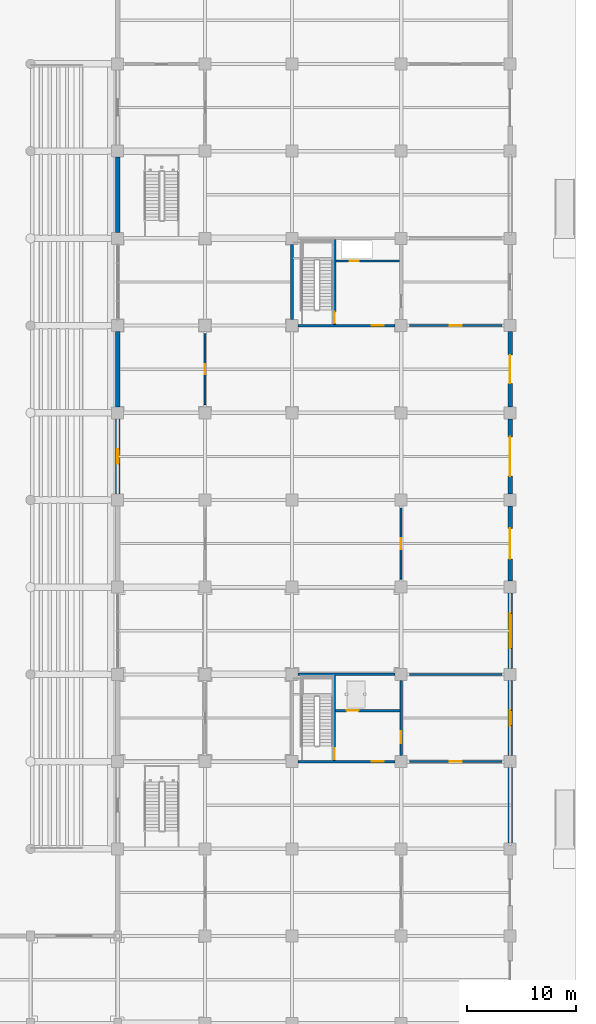
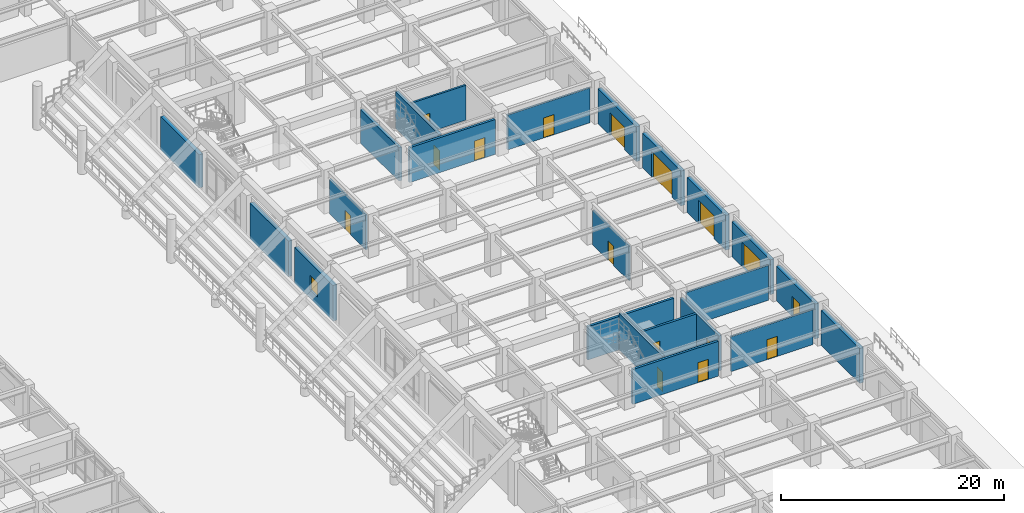
# One storey, part 86 of 125: 23 walls, 16 doors, 1 window, 17 openings.
"""IFC4 building model written with IfcOpenShell, lengths in metres."""

import ifcopenshell
import ifcopenshell.guid

model = None  # the IFC model being written
_history = None  # IfcOwnerHistory: only IFC2X3 demands one
_inside = {}  # id of a spatial element -> (the spatial element, [elements in it])
_under = {}  # id of a project, library or spatial element -> (it, [spatial elements below it])
_declared = {}  # id of a project -> (the project, [libraries it declares])
_typed = {}  # id of a type object -> (the type object, [elements of that type])
_made_of = {}  # id of a material, layer set ... -> (it, [elements and type objects made of it])


def new_model(schema):
    """Start an empty IFC model of exactly this schema.

    Asked for "IFC4X3", IfcOpenShell would pick the latest addendum, in which some entities
    have other attributes; the version numbers below select the first issue.
    IFC2X3 requires an IfcOwnerHistory on every rooted entity: one is made here for all.
    """
    global model, _history
    if schema == "IFC4X3":
        model = ifcopenshell.file(schema_version=(4, 3, 0, 0))
    else:
        model = ifcopenshell.file(schema=schema)
    _inside.clear()
    _under.clear()
    _declared.clear()
    _typed.clear()
    _made_of.clear()
    _history = None
    if model.schema == "IFC2X3":
        org = make("IfcOrganization", Name="unknown")
        user = make(
            "IfcPersonAndOrganization",
            ThePerson=make("IfcPerson", FamilyName="unknown"),
            TheOrganization=org,
        )
        app = make(
            "IfcApplication",
            ApplicationDeveloper=org,
            Version="unknown",
            ApplicationFullName="unknown",
            ApplicationIdentifier="unknown",
        )
        _history = make(
            "IfcOwnerHistory",
            OwningUser=user,
            OwningApplication=app,
            ChangeAction="ADDED",
            CreationDate=0,
        )
    return model


def make(cls, **values):
    """One entity of the class cls with the attributes given. An attribute that is None is left unset."""
    return model.create_entity(
        cls, **{name: value for name, value in values.items() if value is not None}
    )


def rooted(cls, **values):
    """An entity with a GlobalId (a new one), such as an element, a storey or a relation."""
    return make(cls, GlobalId=ifcopenshell.guid.new(), OwnerHistory=_history, **values)


def si_unit(unit_type, name, prefix=None):
    """IfcSIUnit, for example si_unit("LENGTHUNIT", "METRE", prefix="MILLI")."""
    return make("IfcSIUnit", UnitType=unit_type, Prefix=prefix, Name=name)


def assignment(units):
    """IfcUnitAssignment: the units of a project."""
    return None if units is None else make("IfcUnitAssignment", Units=units)


def point(xyz):
    """IfcCartesianPoint."""
    return None if xyz is None else make("IfcCartesianPoint", Coordinates=xyz)


def direction(xyz):
    """IfcDirection."""
    return None if xyz is None else make("IfcDirection", DirectionRatios=xyz)


def frame(location, z_axis=None, x_axis=None):
    """IfcAxis2Placement3D, a coordinate frame: its origin and axes. An axis left out is left unset."""
    return make(
        "IfcAxis2Placement3D",
        Location=point(location),
        Axis=direction(z_axis),
        RefDirection=direction(x_axis),
    )


def frame_2d(location, x_axis=None):
    """IfcAxis2Placement2D, a coordinate frame in the plane: its origin and x axis."""
    return make(
        "IfcAxis2Placement2D", Location=point(location), RefDirection=direction(x_axis)
    )


def origin():
    """The frame at (0, 0, 0) with its axes left unset."""
    return frame((0.0, 0.0, 0.0))


def place(relative_to, where):
    """IfcLocalPlacement: puts the frame where relative to a parent placement (None: the world)."""
    return make(
        "IfcLocalPlacement", PlacementRelTo=relative_to, RelativePlacement=where
    )


def context(
    kind, dimensions, precision=None, world=None, true_north=None, identifier=None
):
    """IfcGeometricRepresentationContext, for example the 3D "Model" context."""
    return make(
        "IfcGeometricRepresentationContext",
        ContextIdentifier=identifier,
        ContextType=kind,
        CoordinateSpaceDimension=dimensions,
        Precision=precision,
        WorldCoordinateSystem=world,
        TrueNorth=true_north,
    )


def subcontext(parent, identifier, kind, view, scale=None):
    """IfcGeometricRepresentationSubContext, for example "Body" below "Model"."""
    return make(
        "IfcGeometricRepresentationSubContext",
        ContextIdentifier=identifier,
        ContextType=kind,
        ParentContext=parent,
        TargetScale=scale,
        TargetView=view,
    )


def project(units=None, contexts=None):
    """IfcProject with its units and contexts."""
    return rooted(
        "IfcProject",
        Name="project",
        RepresentationContexts=contexts,
        UnitsInContext=assignment(units),
    )


def spatial(cls, under=None, at=None, **own):
    """A site, building, storey or space (cls), placed at a placement, below another one or the project."""
    s = rooted(cls, ObjectPlacement=at, **own)
    if under is not None:
        _under.setdefault(under.id(), (under, []))[1].append(s)
    return s


def profile(cls, at=None, kind="AREA", **sizes):
    """A parametric profile (cls). Its sizes go by their IFC names, for example OverallWidth=200.0."""
    return make(cls, ProfileType=kind, Position=at, **sizes)


def rectangle(**sizes):
    """IfcRectangleProfileDef."""
    return profile("IfcRectangleProfileDef", **sizes)


def extrude(swept, where, along, depth):
    """IfcExtrudedAreaSolid: the profile swept, set in the frame where, extruded along a direction by depth."""
    return make(
        "IfcExtrudedAreaSolid",
        SweptArea=swept,
        Position=where,
        ExtrudedDirection=direction(along),
        Depth=depth,
    )


def shape(context_of_items, identifier, shape_type, items):
    """IfcShapeRepresentation: the items that make up one representation, for example the "Body"."""
    return make(
        "IfcShapeRepresentation",
        ContextOfItems=context_of_items,
        RepresentationIdentifier=identifier,
        RepresentationType=shape_type,
        Items=items,
    )


def material(Name=None, Category=None):
    """IfcMaterial."""
    return make("IfcMaterial", Name=Name, Category=Category)


def layer(
    of_material, thickness, ventilated=None, Name=None, Category=None, Priority=None
):
    """IfcMaterialLayer: one layer of a wall or slab, of a material (None: an air gap)."""
    return make(
        "IfcMaterialLayer",
        Material=of_material,
        LayerThickness=thickness,
        IsVentilated=ventilated,
        Name=Name,
        Category=Category,
        Priority=Priority,
    )


def layer_set(layers, Name=None):
    """IfcMaterialLayerSet."""
    return make("IfcMaterialLayerSet", MaterialLayers=layers, LayerSetName=Name)


def made_of(thing, what):
    """Note that an element or type object is made of a material, layer set ...; save() writes the relation."""
    if what is not None:
        _made_of.setdefault(what.id(), (what, []))[1].append(thing)
    return thing


def type_object(cls, material=None, **own):
    """A type object (cls), such as IfcWallType, which elements share."""
    return made_of(rooted(cls, **own), material)


def element(
    cls,
    number,
    at=None,
    inside=None,
    cuts=None,
    type_object=None,
    material=None,
    context=None,
    identifier="Body",
    shape_type=None,
    held_by="IfcProductDefinitionShape",
    body=None,
    shapes=None,
    **own,
):
    """One element of the class cls, such as IfcWall. Its Tag is "e" and its number.

    at: its placement. inside: the storey or other place that contains it. cuts: it is an
    opening in that element (IfcRelVoidsElement). A single representation is given by context,
    identifier, shape_type and body (its items); several are given by shapes. held_by: the class
    of the entity that holds the representations. save() writes the other relations.
    """
    e = rooted(cls, Tag="e%d" % number, ObjectPlacement=at, **own)
    if body is not None:
        shapes = [shape(context, identifier, shape_type, body)]
    if shapes is not None:
        e.Representation = make(held_by, Representations=shapes)
    if inside is not None:
        _inside.setdefault(inside.id(), (inside, []))[1].append(e)
    if cuts is not None:
        rooted(
            "IfcRelVoidsElement", RelatingBuildingElement=cuts, RelatedOpeningElement=e
        )
    if type_object is not None:
        _typed.setdefault(type_object.id(), (type_object, []))[1].append(e)
    return made_of(e, material)


def fill(opening, filler):
    """IfcRelFillsElement: the door or window that sits in an opening."""
    return rooted(
        "IfcRelFillsElement",
        RelatingOpeningElement=opening,
        RelatedBuildingElement=filler,
    )


def aggregate(whole, parts):
    """IfcRelAggregates: a whole, such as a stair, and the parts it consists of."""
    return rooted("IfcRelAggregates", RelatingObject=whole, RelatedObjects=parts)


def save(model, path):
    """Write the relations noted so far, then the file.

    IfcRelAggregates (storeys below a building ...), IfcRelContainedInSpatialStructure (elements
    in a storey), IfcRelDefinesByType, IfcRelAssociatesMaterial and IfcRelDeclares: one each for
    every whole, place, type object, material and project.
    """
    for whole, parts in _under.values():
        aggregate(whole, parts)
    for where, things in _inside.values():
        rooted(
            "IfcRelContainedInSpatialStructure",
            RelatedElements=things,
            RelatingStructure=where,
        )
    for kind, things in _typed.values():
        rooted("IfcRelDefinesByType", RelatedObjects=things, RelatingType=kind)
    for what, things in _made_of.values():
        rooted("IfcRelAssociatesMaterial", RelatedObjects=things, RelatingMaterial=what)
    for by, libraries in _declared.values():
        rooted("IfcRelDeclares", RelatingContext=by, RelatedDefinitions=libraries)
    model.write(path)


model = new_model("IFC4")

# Units and contexts
model_context = context("Model", 3, precision=1e-05, world=origin(), true_north=direction((0.0, 1.0)))
body_context = subcontext(model_context, "Body", "Model", "MODEL_VIEW")
ifc_project = project(units=[si_unit("LENGTHUNIT", "METRE"), si_unit("AREAUNIT", "SQUARE_METRE"), si_unit("VOLUMEUNIT", "CUBIC_METRE"), si_unit("PLANEANGLEUNIT", "RADIAN"), si_unit("MASSUNIT", "GRAM", prefix="KILO")], contexts=[model_context])

# Site, building, storey
site_placement = place(None, origin())
site = spatial("IfcSite", under=ifc_project, at=site_placement, CompositionType="ELEMENT")
building_placement = place(site_placement, origin())
building = spatial("IfcBuilding", under=site, at=building_placement, Name="Haebicheon Civic Stadium", CompositionType="ELEMENT")
storey_placement = place(building_placement, origin())
storey = spatial("IfcBuildingStorey", under=building, at=storey_placement, Name="L01", CompositionType="ELEMENT", Elevation=0.0)

# Wall, opening, door
ifc_material_1 = material(Name="Concrete C40/50", Category="concrete")
ifc_layer_1 = layer(ifc_material_1, 0.239990234375, Name="Concrete C40/50")
ifc_layer_set_1 = layer_set([ifc_layer_1], Name="Concrete C40/50")
wall_type_1 = type_object("IfcWallType", Name="CW-SHR-240", PredefinedType="SHEAR", material=ifc_layer_set_1)
wall_1_placement = place(storey_placement, frame((216.550048828125, 64.0, 0.0), z_axis=(0.0, 0.0, 1.0), x_axis=(1.0, 0.0, 0.0)))
wall_1 = element("IfcWall", 1, at=wall_1_placement, inside=storey, type_object=wall_type_1, material=ifc_layer_set_1, Name="KC-12 L01 south core shear wall", PredefinedType="SHEAR", context=body_context, shape_type="SweptSolid", body=[
    extrude(rectangle(XDim=8.89990234375, YDim=0.239990234375, at=frame_2d((4.449951171875, 0.0))), origin(), (0.0, 0.0, 1.0), 3.81005859375),
])
opening_1_placement = place(wall_1_placement, frame((6.75, 0.0, 0.0)))
opening_1 = element("IfcOpeningElement", 2, at=opening_1_placement, cuts=wall_1, Name="Opening D-L01-KC-12-LOB", PredefinedType="OPENING", context=body_context, shape_type="SweptSolid", body=[
    extrude(rectangle(XDim=1.10009765625, YDim=2.199951171875, at=frame_2d((0.550048828125, 1.10009765625))), frame((0.0, 0.1298828125, 0.0), z_axis=(0.0, -1.0, 0.0), x_axis=(1.0, 0.0, 0.0)), (0.0, 0.0, 1.0), 0.260009765625),
])
ifc_material_2 = material(Name="Galvanised painted steel SM355", Category="steel")
door_type_1 = type_object("IfcDoorType", Name="ID-FD-1100", OperationType="NOTDEFINED", PredefinedType="DOOR", material=ifc_material_2)
door_1_placement = place(opening_1_placement, origin())
door_1 = element("IfcDoor", 3, at=door_1_placement, inside=storey, type_object=door_type_1, material=ifc_material_2, Name="L01 KC-12 lobby fire door", OperationType="SINGLE_SWING_RIGHT", OverallHeight=2.199951171875, OverallWidth=1.10009765625, PredefinedType="DOOR", context=body_context, shape_type="SweptSolid", body=[
    extrude(rectangle(XDim=1.10009765625, YDim=2.199951171875, at=frame_2d((0.550048828125, 1.10009765625))), frame((0.0, 0.02490234375, 0.0), z_axis=(0.0, -1.0, 0.0), x_axis=(1.0, 0.0, 0.0)), (0.0, 0.0, 1.0), 0.050048828125),
])
fill(opening_1, door_1)

# Wall
wall_2_placement = place(storey_placement, frame((216.550048828125, 72.0, 0.0), z_axis=(0.0, 0.0, 1.0), x_axis=(1.0, 0.0, 0.0)))
element("IfcWall", 4, at=wall_2_placement, inside=storey, type_object=wall_type_1, material=ifc_layer_set_1, Name="KC-12 L01 north core shear wall", PredefinedType="SHEAR", context=body_context, shape_type="SweptSolid", body=[
    extrude(rectangle(XDim=8.89990234375, YDim=0.239990234375, at=frame_2d((4.449951171875, 0.0))), origin(), (0.0, 0.0, 1.0), 3.659912109375),
])

# Wall, opening, door
wall_3_placement = place(storey_placement, frame((226.0, 64.550048828125, 0.0), z_axis=(0.0, 0.0, 1.0), x_axis=(0.0, 1.0, 0.0)))
wall_3 = element("IfcWall", 5, at=wall_3_placement, inside=storey, type_object=wall_type_1, material=ifc_layer_set_1, Name="KC-12 L01 east core shear wall", PredefinedType="SHEAR", context=body_context, shape_type="SweptSolid", body=[
    extrude(rectangle(XDim=6.89990234375, YDim=0.239990234375, at=frame_2d((3.449951171875, 0.0))), origin(), (0.0, 0.0, 1.0), 3.81005859375),
])
opening_2_placement = place(wall_3_placement, frame((1.14990234375, 0.0, 0.0)))
opening_2 = element("IfcOpeningElement", 6, at=opening_2_placement, cuts=wall_3, Name="Opening D-L01-KC-12-PXP", PredefinedType="OPENING", context=body_context, shape_type="SweptSolid", body=[
    extrude(rectangle(XDim=1.10009765625, YDim=2.199951171875, at=frame_2d((0.550048828125, 1.10009765625))), frame((0.0, 0.1298828125, 0.0), z_axis=(0.0, -1.0, 0.0), x_axis=(1.0, 0.0, 0.0)), (0.0, 0.0, 1.0), 0.260009765625),
])
door_2_placement = place(opening_2_placement, origin())
door_2 = element("IfcDoor", 7, at=door_2_placement, inside=storey, type_object=door_type_1, material=ifc_material_2, Name="L01 KC-12 protected exit passage fire door", OperationType="SINGLE_SWING_LEFT", OverallHeight=2.199951171875, OverallWidth=1.10009765625, PredefinedType="DOOR", context=body_context, shape_type="SweptSolid", body=[
    extrude(rectangle(XDim=1.10009765625, YDim=2.199951171875, at=frame_2d((0.550048828125, 1.10009765625))), frame((0.0, 0.02490234375, 0.0), z_axis=(0.0, -1.0, 0.0), x_axis=(1.0, 0.0, 0.0)), (0.0, 0.0, 1.0), 0.050048828125),
])
fill(opening_2, door_2)

wall_4_placement = place(storey_placement, frame((219.8798828125, 64.1201171875, 0.0), z_axis=(0.0, 0.0, 1.0), x_axis=(0.0, 1.0, 0.0)))
wall_4 = element("IfcWall", 8, at=wall_4_placement, inside=storey, type_object=wall_type_1, material=ifc_layer_set_1, Name="KC-12 L01 stair-lobby dividing shear wall", PredefinedType="SHEAR", context=body_context, shape_type="SweptSolid", body=[
    extrude(rectangle(XDim=7.759765625, YDim=0.239990234375, at=frame_2d((3.8798828125, 0.0))), origin(), (0.0, 0.0, 1.0), 4.010009765625),
])
opening_3_placement = place(wall_4_placement, frame((0.080078125, 0.0, 0.0)))
opening_3 = element("IfcOpeningElement", 9, at=opening_3_placement, cuts=wall_4, Name="Opening D-L01-KC-12-STR", PredefinedType="OPENING", context=body_context, shape_type="SweptSolid", body=[
    extrude(rectangle(XDim=1.050048828125, YDim=2.14990234375, at=frame_2d((0.52490234375, 1.074951171875))), frame((0.0, 0.1298828125, 0.0), z_axis=(0.0, -1.0, 0.0), x_axis=(1.0, 0.0, 0.0)), (0.0, 0.0, 1.0), 0.260009765625),
])
ifc_material_3 = material(Name="Galvanised painted steel SM355", Category="steel")
door_type_2 = type_object("IfcDoorType", Name="ID-FD-1050", OperationType="NOTDEFINED", PredefinedType="DOOR", material=ifc_material_3)
door_3_placement = place(opening_3_placement, origin())
door_3 = element("IfcDoor", 10, at=door_3_placement, inside=storey, type_object=door_type_2, material=ifc_material_3, Name="L01 ST-12 stairwell escape door", OperationType="SINGLE_SWING_RIGHT", OverallHeight=2.14990234375, OverallWidth=1.050048828125, PredefinedType="DOOR", context=body_context, shape_type="SweptSolid", body=[
    extrude(rectangle(XDim=1.050048828125, YDim=2.14990234375, at=frame_2d((0.52490234375, 1.074951171875))), frame((0.0, 0.02490234375, 0.0), z_axis=(0.0, -1.0, 0.0), x_axis=(1.0, 0.0, 0.0)), (0.0, 0.0, 1.0), 0.050048828125),
])
fill(opening_3, door_3)

wall_5_placement = place(storey_placement, frame((220.0, 68.679931640625, 0.0), z_axis=(0.0, 0.0, 1.0), x_axis=(1.0, 0.0, 0.0)))
wall_5 = element("IfcWall", 11, at=wall_5_placement, inside=storey, type_object=wall_type_1, material=ifc_layer_set_1, Name="KC-12 L01 lift shaft front wall", PredefinedType="SHEAR", context=body_context, shape_type="SweptSolid", body=[
    extrude(rectangle(XDim=5.8798828125, YDim=0.239990234375, at=frame_2d((2.93994140625, 0.0))), origin(), (0.0, 0.0, 1.0), 3.81005859375),
])
opening_4_placement = place(wall_5_placement, frame((1.0, 0.0, 0.0)))
opening_4 = element("IfcOpeningElement", 12, at=opening_4_placement, cuts=wall_5, Name="Opening LD-09-L01", PredefinedType="OPENING", context=body_context, shape_type="SweptSolid", body=[
    extrude(rectangle(XDim=1.10009765625, YDim=2.14990234375, at=frame_2d((0.550048828125, 1.074951171875))), frame((0.0, 0.1298828125, 0.0), z_axis=(0.0, -1.0, 0.0), x_axis=(1.0, 0.0, 0.0)), (0.0, 0.0, 1.0), 0.260009765625),
])
ifc_material_4 = material(Name="Stainless steel 316", Category="steel")
door_type_3 = type_object("IfcDoorType", Name="ID-LD-1100", OperationType="NOTDEFINED", PredefinedType="DOOR", material=ifc_material_4)
door_4_placement = place(opening_4_placement, origin())
door_4 = element("IfcDoor", 13, at=door_4_placement, inside=storey, type_object=door_type_3, material=ifc_material_4, Name="LF-09 lift landing sliding door L01", OperationType="SLIDING_TO_LEFT", OverallHeight=2.14990234375, OverallWidth=1.10009765625, PredefinedType="DOOR", context=body_context, shape_type="SweptSolid", body=[
    extrude(rectangle(XDim=1.10009765625, YDim=2.14990234375, at=frame_2d((0.550048828125, 1.074951171875))), frame((0.0, 0.02490234375, 0.0), z_axis=(0.0, -1.0, 0.0), x_axis=(1.0, 0.0, 0.0)), (0.0, 0.0, 1.0), 0.050048828125),
])
fill(opening_4, door_4)

wall_6_placement = place(storey_placement, frame((216.550048828125, 104.0, 0.0), z_axis=(0.0, 0.0, 1.0), x_axis=(1.0, 0.0, 0.0)))
wall_6 = element("IfcWall", 14, at=wall_6_placement, inside=storey, type_object=wall_type_1, material=ifc_layer_set_1, Name="KC-13 L01 south core shear wall", PredefinedType="SHEAR", context=body_context, shape_type="SweptSolid", body=[
    extrude(rectangle(XDim=8.89990234375, YDim=0.239990234375, at=frame_2d((4.449951171875, 0.0))), origin(), (0.0, 0.0, 1.0), 3.81005859375),
])
opening_5_placement = place(wall_6_placement, frame((6.75, 0.0, 0.0)))
opening_5 = element("IfcOpeningElement", 15, at=opening_5_placement, cuts=wall_6, Name="Opening D-L01-KC-13-LOB", PredefinedType="OPENING", context=body_context, shape_type="SweptSolid", body=[
    extrude(rectangle(XDim=1.10009765625, YDim=2.199951171875, at=frame_2d((0.550048828125, 1.10009765625))), frame((0.0, 0.1298828125, 0.0), z_axis=(0.0, -1.0, 0.0), x_axis=(1.0, 0.0, 0.0)), (0.0, 0.0, 1.0), 0.260009765625),
])
door_5_placement = place(opening_5_placement, origin())
door_5 = element("IfcDoor", 16, at=door_5_placement, inside=storey, type_object=door_type_1, material=ifc_material_2, Name="L01 KC-13 lobby fire door", OperationType="SINGLE_SWING_RIGHT", OverallHeight=2.199951171875, OverallWidth=1.10009765625, PredefinedType="DOOR", context=body_context, shape_type="SweptSolid", body=[
    extrude(rectangle(XDim=1.10009765625, YDim=2.199951171875, at=frame_2d((0.550048828125, 1.10009765625))), frame((0.0, 0.02490234375, 0.0), z_axis=(0.0, -1.0, 0.0), x_axis=(1.0, 0.0, 0.0)), (0.0, 0.0, 1.0), 0.050048828125),
])
fill(opening_5, door_5)

# Wall
ifc_material_5 = material(Name="Concrete C40/50", Category="concrete")
ifc_layer_2 = layer(ifc_material_5, 0.300048828125, Name="Concrete C40/50")
ifc_layer_set_2 = layer_set([ifc_layer_2], Name="Concrete C40/50")
wall_type_2 = type_object("IfcWallType", Name="CW-SHR-300", PredefinedType="SHEAR", material=ifc_layer_set_2)
wall_7_placement = place(storey_placement, frame((216.0, 104.550048828125, 0.0), z_axis=(0.0, 0.0, 1.0), x_axis=(0.0, 1.0, 0.0)))
element("IfcWall", 17, at=wall_7_placement, inside=storey, type_object=wall_type_2, material=ifc_layer_set_2, Name="KC-13 L01 west core shear wall", PredefinedType="SHEAR", context=body_context, shape_type="SweptSolid", body=[
    extrude(rectangle(XDim=6.89990234375, YDim=0.300048828125, at=frame_2d((3.449951171875, 0.0))), origin(), (0.0, 0.0, 1.0), 3.659912109375),
])

# Wall, opening, door
wall_8_placement = place(storey_placement, frame((219.8798828125, 104.1201171875, 0.0), z_axis=(0.0, 0.0, 1.0), x_axis=(0.0, 1.0, 0.0)))
wall_8 = element("IfcWall", 18, at=wall_8_placement, inside=storey, type_object=wall_type_2, material=ifc_layer_set_2, Name="KC-13 L01 stair-lobby dividing shear wall", PredefinedType="SHEAR", context=body_context, shape_type="SweptSolid", body=[
    extrude(rectangle(XDim=7.759765625, YDim=0.300048828125, at=frame_2d((3.8798828125, 0.0))), origin(), (0.0, 0.0, 1.0), 4.010009765625),
])
opening_6_placement = place(wall_8_placement, frame((0.080078125, 0.0, 0.0)))
opening_6 = element("IfcOpeningElement", 19, at=opening_6_placement, cuts=wall_8, Name="Opening D-L01-KC-13-STR", PredefinedType="OPENING", context=body_context, shape_type="SweptSolid", body=[
    extrude(rectangle(XDim=1.050048828125, YDim=2.14990234375, at=frame_2d((0.52490234375, 1.074951171875))), frame((0.0, 0.159912109375, 0.0), z_axis=(0.0, -1.0, 0.0), x_axis=(1.0, 0.0, 0.0)), (0.0, 0.0, 1.0), 0.320068359375),
])
door_6_placement = place(opening_6_placement, origin())
door_6 = element("IfcDoor", 20, at=door_6_placement, inside=storey, type_object=door_type_2, material=ifc_material_3, Name="L01 ST-13 stairwell escape door", OperationType="SINGLE_SWING_RIGHT", OverallHeight=2.14990234375, OverallWidth=1.050048828125, PredefinedType="DOOR", context=body_context, shape_type="SweptSolid", body=[
    extrude(rectangle(XDim=1.050048828125, YDim=2.14990234375, at=frame_2d((0.52490234375, 1.074951171875))), frame((0.0, 0.02490234375, 0.0), z_axis=(0.0, -1.0, 0.0), x_axis=(1.0, 0.0, 0.0)), (0.0, 0.0, 1.0), 0.050048828125),
])
fill(opening_6, door_6)

# Wall, opening, window
ifc_material_6 = material(Name="Concrete C40/50", Category="concrete")
ifc_layer_3 = layer(ifc_material_6, 0.39990234375, Name="Concrete C40/50")
ifc_layer_set_3 = layer_set([ifc_layer_3], Name="Concrete C40/50")
wall_type_3 = type_object("IfcWallType", Name="EW-BM-400", PredefinedType="SOLIDWALL", material=ifc_layer_set_3)
wall_9_placement = place(storey_placement, frame((200.0, 88.550048828125, 0.0), z_axis=(0.0, 0.0, 1.0), x_axis=(0.0, 1.0, 0.0)))
wall_9 = element("IfcWall", 21, at=wall_9_placement, inside=storey, type_object=wall_type_3, material=ifc_layer_set_3, Name="L01 board-marked concrete facade wall 25-11-W", PredefinedType="SOLIDWALL", context=body_context, shape_type="SweptSolid", body=[
    extrude(rectangle(XDim=6.89990234375, YDim=0.39990234375, at=frame_2d((3.449951171875, 0.0))), origin(), (0.0, 0.0, 1.0), 3.909912109375),
])
opening_7_placement = place(wall_9_placement, frame((2.77490234375, 0.0, 0.949951171875)))
opening_7 = element("IfcOpeningElement", 22, at=opening_7_placement, cuts=wall_9, Name="Opening WIN-135x160", PredefinedType="OPENING", context=body_context, shape_type="SweptSolid", body=[
    extrude(rectangle(XDim=1.35009765625, YDim=1.60009765625, at=frame_2d((0.675048828125, 0.800048828125))), frame((0.0, 0.2099609375, 0.0), z_axis=(0.0, -1.0, 0.0), x_axis=(1.0, 0.0, 0.0)), (0.0, 0.0, 1.0), 0.419921875),
])
ifc_material_7 = material(Name="Anodised aluminium and laminated glass", Category="aluminium")
window_type = type_object("IfcWindowType", Name="WIN-135x160", PartitioningType="SINGLE_PANEL", PredefinedType="WINDOW", material=ifc_material_7)
window_placement = place(opening_7_placement, origin())
window = element("IfcWindow", 23, at=window_placement, inside=storey, type_object=window_type, material=ifc_material_7, Name="L01 facade window 026", OverallHeight=1.60009765625, OverallWidth=1.35009765625, PartitioningType="SINGLE_PANEL", PredefinedType="WINDOW", context=body_context, shape_type="SweptSolid", body=[
    extrude(rectangle(XDim=1.35009765625, YDim=1.60009765625, at=frame_2d((0.675048828125, 0.800048828125))), frame((0.0, 0.030029296875, 0.0), z_axis=(0.0, -1.0, 0.0), x_axis=(1.0, 0.0, 0.0)), (0.0, 0.0, 1.0), 0.06005859375),
])
fill(opening_7, window)

# Walls
wall_10_placement = place(storey_placement, frame((200.0, 96.550048828125, 0.0), z_axis=(0.0, 0.0, 1.0), x_axis=(0.0, 1.0, 0.0)))
element("IfcWall", 24, at=wall_10_placement, inside=storey, type_object=wall_type_3, material=ifc_layer_set_3, Name="L01 board-marked concrete facade wall 25-12-W", PredefinedType="SOLIDWALL", context=body_context, shape_type="SweptSolid", body=[
    extrude(rectangle(XDim=6.89990234375, YDim=0.39990234375, at=frame_2d((3.449951171875, 0.0))), origin(), (0.0, 0.0, 1.0), 3.909912109375),
])
wall_11_placement = place(storey_placement, frame((200.0, 112.550048828125, 0.0), z_axis=(0.0, 0.0, 1.0), x_axis=(0.0, 1.0, 0.0)))
element("IfcWall", 25, at=wall_11_placement, inside=storey, type_object=wall_type_3, material=ifc_layer_set_3, Name="L01 board-marked concrete facade wall 25-14-W", PredefinedType="SOLIDWALL", context=body_context, shape_type="SweptSolid", body=[
    extrude(rectangle(XDim=6.89990234375, YDim=0.39990234375, at=frame_2d((3.449951171875, 0.0))), origin(), (0.0, 0.0, 1.0), 3.659912109375),
])
wall_12_placement = place(storey_placement, frame((236.0, 56.550048828125, 0.0), z_axis=(0.0, 0.0, 1.0), x_axis=(0.0, 1.0, 0.0)))
element("IfcWall", 26, at=wall_12_placement, inside=storey, type_object=wall_type_3, material=ifc_layer_set_3, Name="L01 board-marked concrete facade wall 29-07-E", PredefinedType="SOLIDWALL", context=body_context, shape_type="SweptSolid", body=[
    extrude(rectangle(XDim=6.89990234375, YDim=0.39990234375, at=frame_2d((3.449951171875, 0.0))), origin(), (0.0, 0.0, 1.0), 3.81005859375),
])

# Wall, opening, door
wall_13_placement = place(storey_placement, frame((236.0, 71.449951171875, 0.0), z_axis=(0.0, 0.0, 1.0), x_axis=(0.0, -1.0, 0.0)))
wall_13 = element("IfcWall", 27, at=wall_13_placement, inside=storey, type_object=wall_type_3, material=ifc_layer_set_3, Name="L01 board-marked concrete facade wall 29-08-E", PredefinedType="SOLIDWALL", context=body_context, shape_type="SweptSolid", body=[
    extrude(rectangle(XDim=6.89990234375, YDim=0.39990234375, at=frame_2d((3.449951171875, 0.0))), origin(), (0.0, 0.0, 1.0), 3.81005859375),
])
opening_8_placement = place(wall_13_placement, frame((2.75, 0.0, 0.0)))
opening_8 = element("IfcOpeningElement", 28, at=opening_8_placement, cuts=wall_13, Name="Opening DX07", PredefinedType="OPENING", context=body_context, shape_type="SweptSolid", body=[
    extrude(rectangle(XDim=1.39990234375, YDim=2.199951171875, at=frame_2d((0.699951171875, 1.10009765625))), frame((0.0, 0.2099609375, 0.0), z_axis=(0.0, -1.0, 0.0), x_axis=(1.0, 0.0, 0.0)), (0.0, 0.0, 1.0), 0.419921875),
])
ifc_material_8 = material(Name="Galvanised painted steel SM355", Category="steel")
door_type_4 = type_object("IfcDoorType", Name="ED-EXIT-1400", OperationType="NOTDEFINED", PredefinedType="DOOR", material=ifc_material_8)
door_7_placement = place(opening_8_placement, origin())
door_7 = element("IfcDoor", 29, at=door_7_placement, inside=storey, type_object=door_type_4, material=ifc_material_8, Name="Protected exit passage final exit door DX07", OperationType="SINGLE_SWING_LEFT", OverallHeight=2.199951171875, OverallWidth=1.39990234375, PredefinedType="DOOR", context=body_context, shape_type="SweptSolid", body=[
    extrude(rectangle(XDim=1.39990234375, YDim=2.199951171875, at=frame_2d((0.699951171875, 1.10009765625))), frame((0.0, 0.02490234375, 0.0), z_axis=(0.0, -1.0, 0.0), x_axis=(1.0, 0.0, 0.0)), (0.0, 0.0, 1.0), 0.050048828125),
])
fill(opening_8, door_7)

wall_14_placement = place(storey_placement, frame((236.0, 72.550048828125, 0.0), z_axis=(0.0, 0.0, 1.0), x_axis=(0.0, 1.0, 0.0)))
wall_14 = element("IfcWall", 30, at=wall_14_placement, inside=storey, type_object=wall_type_3, material=ifc_layer_set_3, Name="L01 board-marked concrete facade wall 29-09-E", PredefinedType="SOLIDWALL", context=body_context, shape_type="SweptSolid", body=[
    extrude(rectangle(XDim=6.89990234375, YDim=0.39990234375, at=frame_2d((3.449951171875, 0.0))), origin(), (0.0, 0.0, 1.0), 3.81005859375),
])
opening_9_placement = place(wall_14_placement, frame((1.85009765625, 0.0, 0.0)))
opening_9 = element("IfcOpeningElement", 31, at=opening_9_placement, cuts=wall_14, Name="Opening E14", PredefinedType="OPENING", context=body_context, shape_type="SweptSolid", body=[
    extrude(rectangle(XDim=3.199951171875, YDim=2.699951171875, at=frame_2d((1.60009765625, 1.35009765625))), frame((0.0, 0.2099609375, 0.0), z_axis=(0.0, -1.0, 0.0), x_axis=(1.0, 0.0, 0.0)), (0.0, 0.0, 1.0), 0.419921875),
])
ifc_material_9 = material(Name="Anodised aluminium and laminated glass", Category="aluminium")
door_type_5 = type_object("IfcDoorType", Name="ED-MAIN-3200", OperationType="NOTDEFINED", PredefinedType="DOOR", material=ifc_material_9)
door_8_placement = place(opening_9_placement, origin())
door_8 = element("IfcDoor", 32, at=door_8_placement, inside=storey, type_object=door_type_5, material=ifc_material_9, Name="Main entrance E14", OperationType="DOUBLE_SWING_LEFT", OverallHeight=2.699951171875, OverallWidth=3.199951171875, PredefinedType="DOOR", context=body_context, shape_type="SweptSolid", body=[
    extrude(rectangle(XDim=3.199951171875, YDim=2.699951171875, at=frame_2d((1.60009765625, 1.35009765625))), frame((0.0, 0.02490234375, 0.0), z_axis=(0.0, -1.0, 0.0), x_axis=(1.0, 0.0, 0.0)), (0.0, 0.0, 1.0), 0.050048828125),
])
fill(opening_9, door_8)

wall_15_placement = place(storey_placement, frame((236.0, 80.550048828125, 0.0), z_axis=(0.0, 0.0, 1.0), x_axis=(0.0, 1.0, 0.0)))
wall_15 = element("IfcWall", 33, at=wall_15_placement, inside=storey, type_object=wall_type_3, material=ifc_layer_set_3, Name="L01 board-marked concrete facade wall 29-10-E", PredefinedType="SOLIDWALL", context=body_context, shape_type="SweptSolid", body=[
    extrude(rectangle(XDim=6.89990234375, YDim=0.39990234375, at=frame_2d((3.449951171875, 0.0))), origin(), (0.0, 0.0, 1.0), 3.81005859375),
])
opening_10_placement = place(wall_15_placement, frame((2.050048828125, 0.0, 0.0)))
opening_10 = element("IfcOpeningElement", 34, at=opening_10_placement, cuts=wall_15, Name="Opening G15", PredefinedType="OPENING", context=body_context, shape_type="SweptSolid", body=[
    extrude(rectangle(XDim=2.800048828125, YDim=2.550048828125, at=frame_2d((1.39990234375, 1.27490234375))), frame((0.0, 0.2099609375, 0.0), z_axis=(0.0, -1.0, 0.0), x_axis=(1.0, 0.0, 0.0)), (0.0, 0.0, 1.0), 0.419921875),
])
ifc_material_10 = material(Name="Anodised aluminium 6063-T6", Category="aluminium")
door_type_6 = type_object("IfcDoorType", Name="ED-GATE-2800", OperationType="NOTDEFINED", PredefinedType="DOOR", material=ifc_material_10)
door_9_placement = place(opening_10_placement, origin())
door_9 = element("IfcDoor", 35, at=door_9_placement, inside=storey, type_object=door_type_6, material=ifc_material_10, Name="Pedestrian exit gate G15", OperationType="DOUBLE_SWING_LEFT", OverallHeight=2.550048828125, OverallWidth=2.800048828125, PredefinedType="DOOR", context=body_context, shape_type="SweptSolid", body=[
    extrude(rectangle(XDim=2.800048828125, YDim=2.550048828125, at=frame_2d((1.39990234375, 1.27490234375))), frame((0.0, 0.02490234375, 0.0), z_axis=(0.0, -1.0, 0.0), x_axis=(1.0, 0.0, 0.0)), (0.0, 0.0, 1.0), 0.050048828125),
])
fill(opening_10, door_9)

wall_16_placement = place(storey_placement, frame((236.0, 88.550048828125, 0.0), z_axis=(0.0, 0.0, 1.0), x_axis=(0.0, 1.0, 0.0)))
wall_16 = element("IfcWall", 36, at=wall_16_placement, inside=storey, type_object=wall_type_3, material=ifc_layer_set_3, Name="L01 board-marked concrete facade wall 29-11-E", PredefinedType="SOLIDWALL", context=body_context, shape_type="SweptSolid", body=[
    extrude(rectangle(XDim=6.89990234375, YDim=0.39990234375, at=frame_2d((3.449951171875, 0.0))), origin(), (0.0, 0.0, 1.0), 3.81005859375),
])
opening_11_placement = place(wall_16_placement, frame((1.64990234375, 0.0, 0.0)))
opening_11 = element("IfcOpeningElement", 37, at=opening_11_placement, cuts=wall_16, Name="Opening E15", PredefinedType="OPENING", context=body_context, shape_type="SweptSolid", body=[
    extrude(rectangle(XDim=3.60009765625, YDim=2.800048828125, at=frame_2d((1.800048828125, 1.39990234375))), frame((0.0, 0.2099609375, 0.0), z_axis=(0.0, -1.0, 0.0), x_axis=(1.0, 0.0, 0.0)), (0.0, 0.0, 1.0), 0.419921875),
])
ifc_material_11 = material(Name="Anodised aluminium and laminated glass", Category="aluminium")
door_type_7 = type_object("IfcDoorType", Name="ED-MAIN-3600", OperationType="NOTDEFINED", PredefinedType="DOOR", material=ifc_material_11)
door_10_placement = place(opening_11_placement, origin())
door_10 = element("IfcDoor", 38, at=door_10_placement, inside=storey, type_object=door_type_7, material=ifc_material_11, Name="Main entrance E15", OperationType="DOUBLE_SWING_LEFT", OverallHeight=2.800048828125, OverallWidth=3.60009765625, PredefinedType="DOOR", context=body_context, shape_type="SweptSolid", body=[
    extrude(rectangle(XDim=3.60009765625, YDim=2.800048828125, at=frame_2d((1.800048828125, 1.39990234375))), frame((0.0, 0.02490234375, 0.0), z_axis=(0.0, -1.0, 0.0), x_axis=(1.0, 0.0, 0.0)), (0.0, 0.0, 1.0), 0.050048828125),
])
fill(opening_11, door_10)

wall_17_placement = place(storey_placement, frame((236.0, 96.550048828125, 0.0), z_axis=(0.0, 0.0, 1.0), x_axis=(0.0, 1.0, 0.0)))
wall_17 = element("IfcWall", 39, at=wall_17_placement, inside=storey, type_object=wall_type_3, material=ifc_layer_set_3, Name="L01 board-marked concrete facade wall 29-12-E", PredefinedType="SOLIDWALL", context=body_context, shape_type="SweptSolid", body=[
    extrude(rectangle(XDim=6.89990234375, YDim=0.39990234375, at=frame_2d((3.449951171875, 0.0))), origin(), (0.0, 0.0, 1.0), 3.81005859375),
])
opening_12_placement = place(wall_17_placement, frame((2.14990234375, 0.0, 0.0)))
opening_12 = element("IfcOpeningElement", 40, at=opening_12_placement, cuts=wall_17, Name="Opening G16", PredefinedType="OPENING", context=body_context, shape_type="SweptSolid", body=[
    extrude(rectangle(XDim=2.60009765625, YDim=2.5, at=frame_2d((1.300048828125, 1.25))), frame((0.0, 0.2099609375, 0.0), z_axis=(0.0, -1.0, 0.0), x_axis=(1.0, 0.0, 0.0)), (0.0, 0.0, 1.0), 0.419921875),
])
ifc_material_12 = material(Name="Anodised aluminium 6063-T6", Category="aluminium")
door_type_8 = type_object("IfcDoorType", Name="ED-GATE-2600", OperationType="NOTDEFINED", PredefinedType="DOOR", material=ifc_material_12)
door_11_placement = place(opening_12_placement, origin())
door_11 = element("IfcDoor", 41, at=door_11_placement, inside=storey, type_object=door_type_8, material=ifc_material_12, Name="Pedestrian exit gate G16", OperationType="DOUBLE_SWING_LEFT", OverallHeight=2.5, OverallWidth=2.60009765625, PredefinedType="DOOR", context=body_context, shape_type="SweptSolid", body=[
    extrude(rectangle(XDim=2.60009765625, YDim=2.5, at=frame_2d((1.300048828125, 1.25))), frame((0.0, 0.02490234375, 0.0), z_axis=(0.0, -1.0, 0.0), x_axis=(1.0, 0.0, 0.0)), (0.0, 0.0, 1.0), 0.050048828125),
])
fill(opening_12, door_11)

ifc_material_13 = material(Name="Concrete C35/45", Category="concrete")
ifc_layer_4 = layer(ifc_material_13, 0.199951171875, Name="Concrete C35/45")
ifc_layer_set_4 = layer_set([ifc_layer_4], Name="Concrete C35/45")
wall_type_4 = type_object("IfcWallType", Name="IW-FIR-200", PredefinedType="PARTITIONING", material=ifc_layer_set_4)
wall_18_placement = place(storey_placement, frame((220.030029296875, 109.919921875, 0.0), z_axis=(0.0, 0.0, 1.0), x_axis=(1.0, 0.0, 0.0)))
wall_18 = element("IfcWall", 42, at=wall_18_placement, inside=storey, type_object=wall_type_4, material=ifc_layer_set_4, Name="KC-13 L01 service riser wall", PredefinedType="PARTITIONING", context=body_context, shape_type="SweptSolid", body=[
    extrude(rectangle(XDim=5.820068359375, YDim=0.199951171875, at=frame_2d((2.91015625, 0.0))), origin(), (0.0, 0.0, 1.0), 3.81005859375),
])
opening_13_placement = place(wall_18_placement, frame((1.25, 0.0, 0.0)))
opening_13 = element("IfcOpeningElement", 43, at=opening_13_placement, cuts=wall_18, Name="Opening D-L01-KC-13-RSR", PredefinedType="OPENING", context=body_context, shape_type="SweptSolid", body=[
    extrude(rectangle(XDim=0.85009765625, YDim=2.050048828125, at=frame_2d((0.425048828125, 1.02490234375))), frame((0.0, 0.10986328125, 0.0), z_axis=(0.0, -1.0, 0.0), x_axis=(1.0, 0.0, 0.0)), (0.0, 0.0, 1.0), 0.219970703125),
])
ifc_material_14 = material(Name="Galvanised painted steel SM355", Category="steel")
door_type_9 = type_object("IfcDoorType", Name="ID-RSR-0850", OperationType="NOTDEFINED", PredefinedType="TRAPDOOR", material=ifc_material_14)
door_12_placement = place(opening_13_placement, origin())
door_12 = element("IfcDoor", 44, at=door_12_placement, inside=storey, type_object=door_type_9, material=ifc_material_14, Name="L01 KC-13 riser access door", OperationType="SINGLE_SWING_LEFT", OverallHeight=2.050048828125, OverallWidth=0.85009765625, PredefinedType="TRAPDOOR", context=body_context, shape_type="SweptSolid", body=[
    extrude(rectangle(XDim=0.85009765625, YDim=2.050048828125, at=frame_2d((0.425048828125, 1.02490234375))), frame((0.0, 0.02490234375, 0.0), z_axis=(0.0, -1.0, 0.0), x_axis=(1.0, 0.0, 0.0)), (0.0, 0.0, 1.0), 0.050048828125),
])
fill(opening_13, door_12)

wall_19_placement = place(storey_placement, frame((226.75, 64.0, 0.0), z_axis=(0.0, 0.0, 1.0), x_axis=(1.0, 0.0, 0.0)))
wall_19 = element("IfcWall", 45, at=wall_19_placement, inside=storey, type_object=wall_type_4, material=ifc_layer_set_4, Name="L01 KC-12 protected exit passage EI 120 wall 01", PredefinedType="PARTITIONING", context=body_context, shape_type="SweptSolid", body=[
    extrude(rectangle(XDim=8.5, YDim=0.199951171875, at=frame_2d((4.25, 0.0))), origin(), (0.0, 0.0, 1.0), 3.81005859375),
])
opening_14_placement = place(wall_19_placement, frame((3.699951171875, 0.0, 0.0)))
opening_14 = element("IfcOpeningElement", 46, at=opening_14_placement, cuts=wall_19, Name="Opening D-L01-PXP-07", PredefinedType="OPENING", context=body_context, shape_type="SweptSolid", body=[
    extrude(rectangle(XDim=1.10009765625, YDim=2.199951171875, at=frame_2d((0.550048828125, 1.10009765625))), frame((0.0, 0.10986328125, 0.0), z_axis=(0.0, -1.0, 0.0), x_axis=(1.0, 0.0, 0.0)), (0.0, 0.0, 1.0), 0.219970703125),
])
door_13_placement = place(opening_14_placement, origin())
door_13 = element("IfcDoor", 47, at=door_13_placement, inside=storey, type_object=door_type_1, material=ifc_material_2, Name="L01 KC-12 protected exit passage lobby fire door", OperationType="SINGLE_SWING_LEFT", OverallHeight=2.199951171875, OverallWidth=1.10009765625, PredefinedType="DOOR", context=body_context, shape_type="SweptSolid", body=[
    extrude(rectangle(XDim=1.10009765625, YDim=2.199951171875, at=frame_2d((0.550048828125, 1.10009765625))), frame((0.0, 0.02490234375, 0.0), z_axis=(0.0, -1.0, 0.0), x_axis=(1.0, 0.0, 0.0)), (0.0, 0.0, 1.0), 0.050048828125),
])
fill(opening_14, door_13)

# Wall
wall_20_placement = place(storey_placement, frame((226.75, 72.0, 0.0), z_axis=(0.0, 0.0, 1.0), x_axis=(1.0, 0.0, 0.0)))
element("IfcWall", 48, at=wall_20_placement, inside=storey, type_object=wall_type_4, material=ifc_layer_set_4, Name="L01 KC-12 protected exit passage EI 120 wall 02", PredefinedType="PARTITIONING", context=body_context, shape_type="SweptSolid", body=[
    extrude(rectangle(XDim=8.5, YDim=0.199951171875, at=frame_2d((4.25, 0.0))), origin(), (0.0, 0.0, 1.0), 3.81005859375),
])

# Wall, opening, door
wall_21_placement = place(storey_placement, frame((226.75, 104.0, 0.0), z_axis=(0.0, 0.0, 1.0), x_axis=(1.0, 0.0, 0.0)))
wall_21 = element("IfcWall", 49, at=wall_21_placement, inside=storey, type_object=wall_type_4, material=ifc_layer_set_4, Name="L01 KC-13 protected exit passage EI 120 wall 01", PredefinedType="PARTITIONING", context=body_context, shape_type="SweptSolid", body=[
    extrude(rectangle(XDim=8.5, YDim=0.199951171875, at=frame_2d((4.25, 0.0))), origin(), (0.0, 0.0, 1.0), 3.81005859375),
])
opening_15_placement = place(wall_21_placement, frame((3.699951171875, 0.0, 0.0)))
opening_15 = element("IfcOpeningElement", 50, at=opening_15_placement, cuts=wall_21, Name="Opening D-L01-PXP-08", PredefinedType="OPENING", context=body_context, shape_type="SweptSolid", body=[
    extrude(rectangle(XDim=1.10009765625, YDim=2.199951171875, at=frame_2d((0.550048828125, 1.10009765625))), frame((0.0, 0.10986328125, 0.0), z_axis=(0.0, -1.0, 0.0), x_axis=(1.0, 0.0, 0.0)), (0.0, 0.0, 1.0), 0.219970703125),
])
door_14_placement = place(opening_15_placement, origin())
door_14 = element("IfcDoor", 51, at=door_14_placement, inside=storey, type_object=door_type_1, material=ifc_material_2, Name="L01 KC-13 protected exit passage lobby fire door", OperationType="SINGLE_SWING_RIGHT", OverallHeight=2.199951171875, OverallWidth=1.10009765625, PredefinedType="DOOR", context=body_context, shape_type="SweptSolid", body=[
    extrude(rectangle(XDim=1.10009765625, YDim=2.199951171875, at=frame_2d((0.550048828125, 1.10009765625))), frame((0.0, 0.02490234375, 0.0), z_axis=(0.0, -1.0, 0.0), x_axis=(1.0, 0.0, 0.0)), (0.0, 0.0, 1.0), 0.050048828125),
])
fill(opening_15, door_14)

ifc_material_15 = material(Name="Concrete C35/45", Category="concrete")
ifc_layer_5 = layer(ifc_material_15, 0.159912109375, Name="Concrete C35/45")
ifc_layer_set_5 = layer_set([ifc_layer_5], Name="Concrete C35/45")
wall_type_5 = type_object("IfcWallType", Name="IW-PRT-160", PredefinedType="PARTITIONING", material=ifc_layer_set_5)
wall_22_placement = place(storey_placement, frame((208.0, 96.75, 0.0), z_axis=(0.0, 0.0, 1.0), x_axis=(0.0, 1.0, 0.0)))
wall_22 = element("IfcWall", 52, at=wall_22_placement, inside=storey, type_object=wall_type_5, material=ifc_layer_set_5, Name="L01 Sports Medicine Clinic partition wall", PredefinedType="PARTITIONING", context=body_context, shape_type="SweptSolid", body=[
    extrude(rectangle(XDim=6.5, YDim=0.159912109375, at=frame_2d((3.25, 0.0))), origin(), (0.0, 0.0, 1.0), 3.81005859375),
])
opening_16_placement = place(wall_22_placement, frame((2.77490234375, 0.0, 0.0)))
opening_16 = element("IfcOpeningElement", 53, at=opening_16_placement, cuts=wall_22, Name="Opening D-L01-145", PredefinedType="OPENING", context=body_context, shape_type="SweptSolid", body=[
    extrude(rectangle(XDim=0.949951171875, YDim=2.10009765625, at=frame_2d((0.47509765625, 1.050048828125))), frame((0.0, 0.08984375, 0.0), z_axis=(0.0, -1.0, 0.0), x_axis=(1.0, 0.0, 0.0)), (0.0, 0.0, 1.0), 0.179931640625),
])
ifc_material_16 = material(Name="Engineered hardwood timber", Category="wood")
door_type_10 = type_object("IfcDoorType", Name="ID-RM-0950", OperationType="NOTDEFINED", PredefinedType="DOOR", material=ifc_material_16)
door_15_placement = place(opening_16_placement, origin())
door_15 = element("IfcDoor", 54, at=door_15_placement, inside=storey, type_object=door_type_10, material=ifc_material_16, Name="L01 Sports Medicine Clinic entrance door D-L01-145", OperationType="SINGLE_SWING_RIGHT", OverallHeight=2.10009765625, OverallWidth=0.949951171875, PredefinedType="DOOR", context=body_context, shape_type="SweptSolid", body=[
    extrude(rectangle(XDim=0.949951171875, YDim=2.10009765625, at=frame_2d((0.47509765625, 1.050048828125))), frame((0.0, 0.02490234375, 0.0), z_axis=(0.0, -1.0, 0.0), x_axis=(1.0, 0.0, 0.0)), (0.0, 0.0, 1.0), 0.050048828125),
])
fill(opening_16, door_15)

wall_23_placement = place(storey_placement, frame((226.0, 80.75, 0.0), z_axis=(0.0, 0.0, 1.0), x_axis=(0.0, 1.0, 0.0)))
wall_23 = element("IfcWall", 55, at=wall_23_placement, inside=storey, type_object=wall_type_5, material=ifc_layer_set_5, Name="L01 Sports Medicine Clinic partition wall", PredefinedType="PARTITIONING", context=body_context, shape_type="SweptSolid", body=[
    extrude(rectangle(XDim=6.5, YDim=0.159912109375, at=frame_2d((3.25, 0.0))), origin(), (0.0, 0.0, 1.0), 3.81005859375),
])
opening_17_placement = place(wall_23_placement, frame((2.75, 0.0, 0.0)))
opening_17 = element("IfcOpeningElement", 56, at=opening_17_placement, cuts=wall_23, Name="Opening D-L01-150", PredefinedType="OPENING", context=body_context, shape_type="SweptSolid", body=[
    extrude(rectangle(XDim=1.0, YDim=2.10009765625, at=frame_2d((0.5, 1.050048828125))), frame((0.0, 0.08984375, 0.0), z_axis=(0.0, -1.0, 0.0), x_axis=(1.0, 0.0, 0.0)), (0.0, 0.0, 1.0), 0.179931640625),
])
ifc_material_17 = material(Name="Engineered hardwood timber", Category="wood")
door_type_11 = type_object("IfcDoorType", Name="ID-RM-1000", OperationType="NOTDEFINED", PredefinedType="DOOR", material=ifc_material_17)
door_16_placement = place(opening_17_placement, origin())
door_16 = element("IfcDoor", 57, at=door_16_placement, inside=storey, type_object=door_type_11, material=ifc_material_17, Name="L01 Sports Medicine Clinic entrance door D-L01-150", OperationType="SINGLE_SWING_LEFT", OverallHeight=2.10009765625, OverallWidth=1.0, PredefinedType="DOOR", context=body_context, shape_type="SweptSolid", body=[
    extrude(rectangle(XDim=1.0, YDim=2.10009765625, at=frame_2d((0.5, 1.050048828125))), frame((0.0, 0.02490234375, 0.0), z_axis=(0.0, -1.0, 0.0), x_axis=(1.0, 0.0, 0.0)), (0.0, 0.0, 1.0), 0.050048828125),
])
fill(opening_17, door_16)

save(model, "model.ifc")
